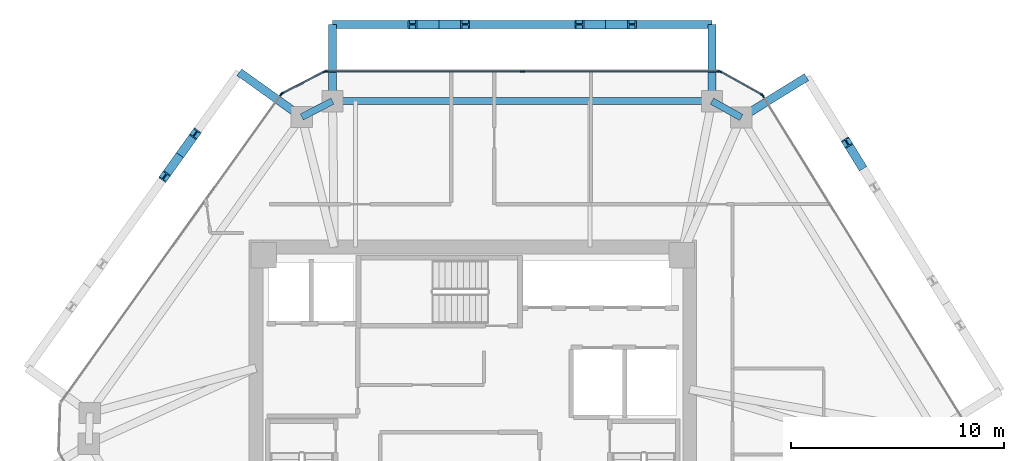
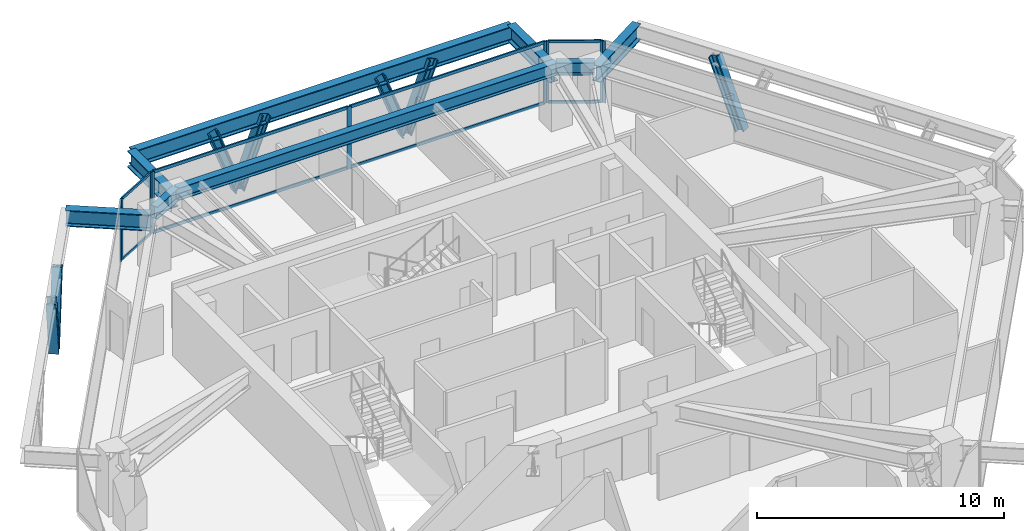
# One storey, part 6 of 11: 24 members, 8 beams, 5 elements without a shape of their own.
"""IFC4 building model written with IfcOpenShell, lengths in metres."""

from ifc_helpers import new_model, si_unit, direction, frame, origin, origin_2d, place, context, subcontext, project, spatial, rectangle, i_section, extrude, source, transform, mapped, material, layer, layer_set, material_profile, profile_set, type_object, type_shapes, element, aggregate, save


model = new_model("IFC4")

# Units and contexts
model_context = context("Model", 3, precision=1e-05, world=origin(), true_north=direction((0.0, 1.0)))
body_context = subcontext(model_context, "Body", "Model", "MODEL_VIEW")
ifc_project = project(units=[si_unit("LENGTHUNIT", "METRE"), si_unit("AREAUNIT", "SQUARE_METRE"), si_unit("VOLUMEUNIT", "CUBIC_METRE"), si_unit("PLANEANGLEUNIT", "RADIAN"), si_unit("MASSUNIT", "GRAM", prefix="KILO")], contexts=[model_context])

# Site, building, storey
site_placement = place(None, origin())
site = spatial("IfcSite", under=ifc_project, at=site_placement, CompositionType="ELEMENT")
building_placement = place(site_placement, origin())
building = spatial("IfcBuilding", under=site, at=building_placement, Name="Durnholm Broadcast Tower", CompositionType="ELEMENT")
storey_placement = place(building_placement, frame((0.0, 0.0, 196.89990234375)))
storey = spatial("IfcBuildingStorey", under=building, at=storey_placement, Name="L54", CompositionType="ELEMENT", Elevation=196.89990234375)

# Beams
ifc_material_1 = material(Name="Steel ASTM A992 Grade 50", Category="steel")
ifc_material_profile_1 = material_profile(ifc_material_1, i_section(OverallWidth=0.385009765625, OverallDepth=0.802978515625, WebThickness=0.023681640625, FlangeThickness=0.0419921875, FilletRadius=0.032958984375, at=origin_2d()), Name="W30X261")
ifc_profile_set_1 = profile_set([ifc_material_profile_1], Name="Steel ASTM A992 Grade 50")
beam_type_1 = type_object("IfcBeamType", Name="BM-EXO-TIE", PredefinedType="USERDEFINED", material=ifc_profile_set_1)
shared_shape_1 = source(origin(), body_context, "Body", "SweptSolid", [
    extrude(i_section(OverallWidth=0.385009765625, OverallDepth=0.802978515625, WebThickness=0.023681640625, FlangeThickness=0.0419921875, FilletRadius=0.032958984375, at=origin_2d()), origin(), (0.0, 0.0, 1.0), 3.4560546875),
])
for number, where, z_axis, x_axis, name in (
    (1, (12.713134765625, 14.327880859375, 2.30859375), (0.850662348375, 0.525712439512, 0.0), (-0.525712439512, 0.850662348375, 0.0), "L54 exoskeleton stand-off tie bracket F3.2"),
    (2, (-8.138916015625, 14.360107421875, 2.30859375), (-0.813079048773, 0.582153296346, 0.0), (-0.582153296346, -0.813079048773, 0.0), "L54 exoskeleton stand-off tie bracket F5.1"),
):
    element("IfcBeam", number, at=place(storey_placement, frame(where, z_axis=z_axis, x_axis=x_axis)), inside=storey, type_object=beam_type_1, Name=name, ObjectType="GIRDER", PredefinedType="USERDEFINED", context=body_context, shape_type="MappedRepresentation", body=[
        mapped(shared_shape_1, transform((0.0, 0.0, 0.0), x_axis=(1.0, 0.0, 0.0), y_axis=(0.0, 1.0, 0.0), z_axis=(0.0, 0.0, 1.0), scale=1.0)),
    ])
shared_shape_2 = source(origin(), body_context, "Body", "SweptSolid", [
    extrude(i_section(OverallWidth=0.385009765625, OverallDepth=0.802978515625, WebThickness=0.023681640625, FlangeThickness=0.0419921875, FilletRadius=0.032958984375, at=origin_2d()), origin(), (0.0, 0.0, 1.0), 3.455810546875),
])
for number, where, z_axis, x_axis, name in (
    (3, (11.217529296875, 15.162109375, 2.30859375), (0.0, 1.0, 0.0), (-1.0, 0.0, 0.0), "L54 exoskeleton stand-off tie bracket F4.1"),
    (4, (-6.57861328125, 15.162109375, 2.30859375), (0.0, 1.0, 0.0), (-1.0, 0.0, 0.0), "L54 exoskeleton stand-off tie bracket F4.2"),
):
    element("IfcBeam", number, at=place(storey_placement, frame(where, z_axis=z_axis, x_axis=x_axis)), inside=storey, type_object=beam_type_1, Name=name, ObjectType="GIRDER", PredefinedType="USERDEFINED", context=body_context, shape_type="MappedRepresentation", body=[
        mapped(shared_shape_2, transform((0.0, 0.0, 0.0), x_axis=(1.0, 0.0, 0.0), y_axis=(0.0, 1.0, 0.0), z_axis=(0.0, 0.0, 1.0), scale=1.0)),
    ])
ifc_material_profile_2 = material_profile(ifc_material_1, i_section(OverallWidth=0.3251953125, OverallDepth=0.6162109375, WebThickness=0.013916015625, FlangeThickness=0.021484375, FilletRadius=0.02783203125, at=origin_2d()), Name="W24X117")
ifc_profile_set_2 = profile_set([ifc_material_profile_2], Name="Steel ASTM A992 Grade 50")
beam_type_2 = type_object("IfcBeamType", Name="STL-SP-W24X117", PredefinedType="SPANDREL", material=ifc_profile_set_2)
shared_shape_3 = source(origin(), body_context, "Body", "SweptSolid", [
    extrude(i_section(OverallWidth=0.3251953125, OverallDepth=0.6162109375, WebThickness=0.013916015625, FlangeThickness=0.021484375, FilletRadius=0.02783203125, at=origin_2d()), origin(), (0.0, 0.0, 1.0), 1.62255859375),
])
beam_1_placement = place(storey_placement, frame((-8.021728515625, 14.2763671875, 2.737060546875), z_axis=(0.889406668864, 0.45711680934, 0.0), x_axis=(-0.45711680934, 0.889406668864, 0.0)))
element("IfcBeam", 5, at=beam_1_placement, inside=storey, type_object=beam_type_2, Name="L54 perimeter spandrel girder 04", PredefinedType="SPANDREL", context=body_context, shape_type="MappedRepresentation", body=[
    mapped(shared_shape_3, transform((0.0, 0.0, 0.0), x_axis=(1.0, 0.0, 0.0), y_axis=(0.0, 1.0, 0.0), z_axis=(0.0, 0.0, 1.0), scale=1.0)),
])
shared_shape_4 = source(origin(), body_context, "Body", "SweptSolid", [
    extrude(i_section(OverallWidth=0.3251953125, OverallDepth=0.6162109375, WebThickness=0.013916015625, FlangeThickness=0.021484375, FilletRadius=0.02783203125, at=origin_2d()), origin(), (0.0, 0.0, 1.0), 17.796142578125),
])
beam_2_placement = place(storey_placement, frame((-6.57861328125, 15.01806640625, 2.737060546875), z_axis=(1.0, 0.0, 0.0), x_axis=(0.0, 1.0, 0.0)))
element("IfcBeam", 6, at=beam_2_placement, inside=storey, type_object=beam_type_2, Name="L54 perimeter spandrel girder 05", PredefinedType="SPANDREL", context=body_context, shape_type="MappedRepresentation", body=[
    mapped(shared_shape_4, transform((0.0, 0.0, 0.0), x_axis=(1.0, 0.0, 0.0), y_axis=(0.0, 1.0, 0.0), z_axis=(0.0, 0.0, 1.0), scale=1.0)),
])
shared_shape_5 = source(origin(), body_context, "Body", "SweptSolid", [
    extrude(i_section(OverallWidth=0.3251953125, OverallDepth=0.6162109375, WebThickness=0.013916015625, FlangeThickness=0.021484375, FilletRadius=0.02783203125, at=origin_2d()), origin(), (0.0, 0.0, 1.0), 1.572509765625),
])
type_shapes(beam_type_2, [shared_shape_3, shared_shape_4, shared_shape_5])
beam_3_placement = place(storey_placement, frame((11.217529296875, 15.01806640625, 2.737060546875), z_axis=(0.873365144476, -0.487066037017, 0.0), x_axis=(0.487066037017, 0.873365144476, 0.0)))
element("IfcBeam", 7, at=beam_3_placement, inside=storey, type_object=beam_type_2, Name="L54 perimeter spandrel girder 06", PredefinedType="SPANDREL", context=body_context, shape_type="MappedRepresentation", body=[
    mapped(shared_shape_5, transform((0.0, 0.0, 0.0), x_axis=(1.0, 0.0, 0.0), y_axis=(0.0, 1.0, 0.0), z_axis=(0.0, 0.0, 1.0), scale=1.0)),
])
shared_shape_6 = source(origin(), body_context, "Body", "SweptSolid", [
    extrude(i_section(OverallWidth=0.385009765625, OverallDepth=0.802978515625, WebThickness=0.023681640625, FlangeThickness=0.0419921875, FilletRadius=0.032958984375, at=origin_2d()), origin(), (0.0, 0.0, 1.0), 17.796142578125),
])
type_shapes(beam_type_1, [shared_shape_1, shared_shape_2, shared_shape_6])
beam_4_placement = place(storey_placement, frame((11.217529296875, 18.617919921875, 2.30859375), z_axis=(-1.0, 0.0, 0.0), x_axis=(0.0, -1.0, 0.0)))
element("IfcBeam", 8, at=beam_4_placement, inside=storey, type_object=beam_type_1, Name="L54 exoskeleton collector spandrel F4", PredefinedType="SPANDREL", context=body_context, shape_type="MappedRepresentation", body=[
    mapped(shared_shape_6, transform((0.0, 0.0, 0.0), x_axis=(1.0, 0.0, 0.0), y_axis=(0.0, 1.0, 0.0), z_axis=(0.0, 0.0, 1.0), scale=1.0)),
])

# Members
ifc_material_2 = material(Name="Steel ASTM A913 Grade 65", Category="steel")
ifc_material_profile_3 = material_profile(ifc_material_2, i_section(OverallWidth=0.412109375, OverallDepth=0.434814453125, WebThickness=0.035888671875, FlangeThickness=0.057373046875, FilletRadius=0.030517578125, at=origin_2d()), Name="W14X311")
ifc_profile_set_3 = profile_set([ifc_material_profile_3], Name="Steel ASTM A913 Grade 65")
member_type_1 = type_object("IfcMemberType", Name="STL-DG-W14X311", PredefinedType="BRACE", material=ifc_profile_set_3)
shared_shape_7 = source(origin(), body_context, "Body", "SweptSolid", [
    extrude(i_section(OverallWidth=0.412109375, OverallDepth=0.434814453125, WebThickness=0.035888671875, FlangeThickness=0.057373046875, FilletRadius=0.030517578125, at=origin_2d()), origin(), (0.0, 0.0, 1.0), 3.523193359375),
])
type_shapes(member_type_1, [shared_shape_7])
for number, where, z_axis, x_axis, name in (
    (9, (18.2001953125, 12.023193359375, -0.991455078125), (-0.184115236318, 0.297965945114, 0.936652483746), (-0.850699125742, -0.525652924906, 0.0), "L54 stand-off diagrid brace F3.D2.2"),
    (10, (6.234619140625, 18.617919921875, -0.991455078125), (0.350219588454, 0.0, 0.936667625075), (0.0, 1.0, 0.0), "L54 stand-off diagrid brace F4.D1.1"),
    (11, (6.234619140625, 18.617919921875, -0.991455078125), (-0.350219588454, 0.0, 0.936667625075), (0.0, -1.0, 0.0), "L54 stand-off diagrid brace F4.D1.2"),
    (12, (-1.595703125, 18.617919921875, -0.991455078125), (0.350219588454, 0.0, 0.936667625075), (0.0, 1.0, 0.0), "L54 stand-off diagrid brace F4.D2.1"),
    (13, (-1.595703125, 18.617919921875, -0.991455078125), (-0.350219588454, 0.0, 0.936667625075), (0.0, -1.0, 0.0), "L54 stand-off diagrid brace F4.D2.2"),
    (14, (-13.731689453125, 12.485595703125, -0.991455078125), (0.203869234398, 0.284737826017, 0.936675880815), (-0.813077820009, 0.582155012526, 0.0), "L54 stand-off diagrid brace F5.D1.1"),
    (15, (-13.731689453125, 12.485595703125, -0.991455078125), (-0.203869234398, -0.284737826017, 0.936675880815), (0.813077820009, -0.582155012526, 0.0), "L54 stand-off diagrid brace F5.D1.2"),
):
    element("IfcMember", number, at=place(storey_placement, frame(where, z_axis=z_axis, x_axis=x_axis)), inside=storey, type_object=member_type_1, Name=name, PredefinedType="BRACE", context=body_context, shape_type="MappedRepresentation", body=[
        mapped(shared_shape_7, transform((0.0, 0.0, 0.0), x_axis=(1.0, 0.0, 0.0), y_axis=(0.0, 1.0, 0.0), z_axis=(0.0, 0.0, 1.0), scale=1.0)),
    ])

# Curtain wall, members
ifc_material_3 = material(Name="Aluminium and Solar Control IGU", Category="aluminium")
ifc_layer_1 = layer(ifc_material_3, 0.1650390625)
ifc_layer_set_1 = layer_set([ifc_layer_1], Name="Aluminium and Solar Control IGU")
curtain_wall_type_1 = type_object("IfcCurtainWallType", Name="CW-SYS-5", PredefinedType="NOTDEFINED", material=ifc_layer_set_1)
curtain_wall_1_placement = place(storey_placement, origin())
curtain_wall_1 = element("IfcCurtainWall", 16, at=curtain_wall_1_placement, inside=storey, type_object=curtain_wall_type_1, Name="L54 curtain wall CW-CORNER CW-L54-CRN-03", PredefinedType="NOTDEFINED")
ifc_material_4 = material(Name="Aluminium 6063-T6", Category="aluminium")
ifc_material_profile_4 = material_profile(ifc_material_4, rectangle(XDim=0.06494140625, YDim=0.1650390625, at=origin_2d()), Name="CWM65X165")
ifc_profile_set_4 = profile_set([ifc_material_profile_4], Name="Aluminium 6063-T6")
member_type_2 = type_object("IfcMemberType", Name="CW-SYS-5-MUL", PredefinedType="MULLION", material=ifc_profile_set_4)
shared_shape_8 = source(origin(), body_context, "Body", "SweptSolid", [
    extrude(rectangle(XDim=0.06494140625, YDim=0.1650390625, at=origin_2d()), origin(), (0.0, 0.0, 1.0), 3.06005859375),
])
type_shapes(member_type_2, [shared_shape_8])
member_1_placement = place(storey_placement, frame((-8.93408203125, 15.381591796875, 0.0), z_axis=(0.0, 0.0, 1.0), x_axis=(-0.457081764476, 0.889424679545, 0.0)))
member_1 = element("IfcMember", 17, at=member_1_placement, type_object=member_type_2, Name="CW-CORNER mullion 1", PredefinedType="MULLION", context=body_context, shape_type="MappedRepresentation", body=[
    mapped(shared_shape_8, transform((0.0, 0.0, 0.0), x_axis=(1.0, 0.0, 0.0), y_axis=(0.0, 1.0, 0.0), z_axis=(0.0, 0.0, 1.0), scale=1.0)),
])
member_2_placement = place(storey_placement, frame((-6.9462890625, 16.403076171875, 0.0), z_axis=(0.0, 0.0, 1.0), x_axis=(-0.457081764476, 0.889424679545, 0.0)))
member_2 = element("IfcMember", 18, at=member_2_placement, type_object=member_type_2, Name="CW-CORNER mullion 2", PredefinedType="MULLION", context=body_context, shape_type="MappedRepresentation", body=[
    mapped(shared_shape_8, transform((0.0, 0.0, 0.0), x_axis=(1.0, 0.0, 0.0), y_axis=(0.0, 1.0, 0.0), z_axis=(0.0, 0.0, 1.0), scale=1.0)),
])

curtain_wall_2_placement = place(storey_placement, origin())
curtain_wall_2 = element("IfcCurtainWall", 19, at=curtain_wall_2_placement, inside=storey, type_object=curtain_wall_type_1, Name="L54 curtain wall CW-CORNER CW-L54-CRN-05", PredefinedType="NOTDEFINED")
member_3_placement = place(storey_placement, frame((11.60986328125, 16.402099609375, 0.0), z_axis=(0.0, 0.0, 1.0), x_axis=(0.486986043316, 0.873409751271, 0.0)))
member_3 = element("IfcMember", 20, at=member_3_placement, type_object=member_type_2, Name="CW-CORNER mullion 1", PredefinedType="MULLION", context=body_context, shape_type="MappedRepresentation", body=[
    mapped(shared_shape_8, transform((0.0, 0.0, 0.0), x_axis=(1.0, 0.0, 0.0), y_axis=(0.0, 1.0, 0.0), z_axis=(0.0, 0.0, 1.0), scale=1.0)),
])
member_4_placement = place(storey_placement, frame((13.56201171875, 15.313720703125, 0.0), z_axis=(0.0, 0.0, 1.0), x_axis=(0.486986043316, 0.873409751271, 0.0)))
member_4 = element("IfcMember", 21, at=member_4_placement, type_object=member_type_2, Name="CW-CORNER mullion 2", PredefinedType="MULLION", context=body_context, shape_type="MappedRepresentation", body=[
    mapped(shared_shape_8, transform((0.0, 0.0, 0.0), x_axis=(1.0, 0.0, 0.0), y_axis=(0.0, 1.0, 0.0), z_axis=(0.0, 0.0, 1.0), scale=1.0)),
])

# Member
ifc_material_profile_5 = material_profile(ifc_material_4, rectangle(XDim=0.06494140625, YDim=0.1298828125, at=origin_2d()), Name="CWT65X130")
ifc_profile_set_5 = profile_set([ifc_material_profile_5], Name="Aluminium 6063-T6")
member_type_3 = type_object("IfcMemberType", Name="CW-SYS-5-TRN", PredefinedType="USERDEFINED", material=ifc_profile_set_5)
shared_shape_9 = source(origin(), body_context, "Body", "SweptSolid", [
    extrude(rectangle(XDim=0.06494140625, YDim=0.1298828125, at=origin_2d()), origin(), (0.0, 0.0, 1.0), 2.169921875),
])
type_shapes(member_type_3, [shared_shape_9])
member_5_placement = place(storey_placement, frame((-8.9052734375, 15.396484375, 0.03271484375), z_axis=(0.889468148591, 0.456997169185, 0.0), x_axis=(-0.456997169185, 0.889468148591, 0.0)))
member_5 = element("IfcMember", 22, at=member_5_placement, type_object=member_type_3, Name="CW-CORNER transom 1.1", ObjectType="TRANSOM", PredefinedType="USERDEFINED", context=body_context, shape_type="MappedRepresentation", body=[
    mapped(shared_shape_9, transform((0.0, 0.0, 0.0), x_axis=(1.0, 0.0, 0.0), y_axis=(0.0, 1.0, 0.0), z_axis=(0.0, 0.0, 1.0), scale=1.0)),
])

member_6_placement = place(storey_placement, frame((-8.9052734375, 15.396484375, 3.027587890625), z_axis=(0.889468148591, 0.456997169185, 0.0), x_axis=(-0.456997169185, 0.889468148591, 0.0)))
member_6 = element("IfcMember", 23, at=member_6_placement, type_object=member_type_3, Name="CW-CORNER transom 1.2", ObjectType="TRANSOM", PredefinedType="USERDEFINED", context=body_context, shape_type="MappedRepresentation", body=[
    mapped(shared_shape_9, transform((0.0, 0.0, 0.0), x_axis=(1.0, 0.0, 0.0), y_axis=(0.0, 1.0, 0.0), z_axis=(0.0, 0.0, 1.0), scale=1.0)),
])

aggregate(curtain_wall_1, [member_1, member_2, member_5, member_6])

member_7_placement = place(storey_placement, frame((11.63818359375, 16.38623046875, 0.03271484375), z_axis=(0.873429215361, -0.48695113282, 0.0), x_axis=(0.48695113282, 0.873429215361, 0.0)))
member_7 = element("IfcMember", 24, at=member_7_placement, type_object=member_type_3, Name="CW-CORNER transom 1.1", ObjectType="TRANSOM", PredefinedType="USERDEFINED", context=body_context, shape_type="MappedRepresentation", body=[
    mapped(shared_shape_9, transform((0.0, 0.0, 0.0), x_axis=(1.0, 0.0, 0.0), y_axis=(0.0, 1.0, 0.0), z_axis=(0.0, 0.0, 1.0), scale=1.0)),
])

member_8_placement = place(storey_placement, frame((11.63818359375, 16.38623046875, 3.027587890625), z_axis=(0.873429215361, -0.48695113282, 0.0), x_axis=(0.48695113282, 0.873429215361, 0.0)))
member_8 = element("IfcMember", 25, at=member_8_placement, type_object=member_type_3, Name="CW-CORNER transom 1.2", ObjectType="TRANSOM", PredefinedType="USERDEFINED", context=body_context, shape_type="MappedRepresentation", body=[
    mapped(shared_shape_9, transform((0.0, 0.0, 0.0), x_axis=(1.0, 0.0, 0.0), y_axis=(0.0, 1.0, 0.0), z_axis=(0.0, 0.0, 1.0), scale=1.0)),
])

aggregate(curtain_wall_2, [member_3, member_4, member_7, member_8])

# Curtain wall, members
ifc_layer_2 = layer(ifc_material_3, 0.18994140625)
ifc_layer_set_2 = layer_set([ifc_layer_2], Name="Aluminium and Solar Control IGU")
curtain_wall_type_2 = type_object("IfcCurtainWallType", Name="CW-SYS-4", PredefinedType="NOTDEFINED", material=ifc_layer_set_2)
curtain_wall_3_placement = place(storey_placement, origin())
curtain_wall_3 = element("IfcCurtainWall", 26, at=curtain_wall_3_placement, inside=storey, type_object=curtain_wall_type_2, Name="L54 curtain wall CW-Z34-VIS CW-L54-F04", PredefinedType="NOTDEFINED")
ifc_material_profile_6 = material_profile(ifc_material_4, rectangle(XDim=0.070068359375, YDim=0.14990234375, at=origin_2d()), Name="CWT70X150")
ifc_profile_set_6 = profile_set([ifc_material_profile_6], Name="Aluminium 6063-T6")
member_type_4 = type_object("IfcMemberType", Name="CW-SYS-4-TRN", PredefinedType="USERDEFINED", material=ifc_profile_set_6)
shared_shape_10 = source(origin(), body_context, "Body", "SweptSolid", [
    extrude(rectangle(XDim=0.070068359375, YDim=0.14990234375, at=origin_2d()), origin(), (0.0, 0.0, 1.0), 9.14453125),
])
type_shapes(member_type_4, [shared_shape_10])
member_9_placement = place(storey_placement, frame((-6.847412109375, 16.41796875, 0.03515625), z_axis=(1.0, 0.0, 0.0), x_axis=(0.0, 1.0, 0.0)))
member_9 = element("IfcMember", 27, at=member_9_placement, type_object=member_type_4, Name="CW-Z34-VIS transom 1.1", ObjectType="TRANSOM", PredefinedType="USERDEFINED", context=body_context, shape_type="MappedRepresentation", body=[
    mapped(shared_shape_10, transform((0.0, 0.0, 0.0), x_axis=(1.0, 0.0, 0.0), y_axis=(0.0, 1.0, 0.0), z_axis=(0.0, 0.0, 1.0), scale=1.0)),
])
member_10_placement = place(storey_placement, frame((-6.847412109375, 16.41796875, 3.025146484375), z_axis=(1.0, 0.0, 0.0), x_axis=(0.0, 1.0, 0.0)))
member_10 = element("IfcMember", 28, at=member_10_placement, type_object=member_type_4, Name="CW-Z34-VIS transom 1.2", ObjectType="TRANSOM", PredefinedType="USERDEFINED", context=body_context, shape_type="MappedRepresentation", body=[
    mapped(shared_shape_10, transform((0.0, 0.0, 0.0), x_axis=(1.0, 0.0, 0.0), y_axis=(0.0, 1.0, 0.0), z_axis=(0.0, 0.0, 1.0), scale=1.0)),
])
member_11_placement = place(storey_placement, frame((2.366943359375, 16.41796875, 0.03515625), z_axis=(1.0, 0.0, 0.0), x_axis=(0.0, 1.0, 0.0)))
member_11 = element("IfcMember", 29, at=member_11_placement, type_object=member_type_4, Name="CW-Z34-VIS transom 2.1", ObjectType="TRANSOM", PredefinedType="USERDEFINED", context=body_context, shape_type="MappedRepresentation", body=[
    mapped(shared_shape_10, transform((0.0, 0.0, 0.0), x_axis=(1.0, 0.0, 0.0), y_axis=(0.0, 1.0, 0.0), z_axis=(0.0, 0.0, 1.0), scale=1.0)),
])
member_12_placement = place(storey_placement, frame((2.366943359375, 16.41796875, 3.025146484375), z_axis=(1.0, 0.0, 0.0), x_axis=(0.0, 1.0, 0.0)))
member_12 = element("IfcMember", 30, at=member_12_placement, type_object=member_type_4, Name="CW-Z34-VIS transom 2.2", ObjectType="TRANSOM", PredefinedType="USERDEFINED", context=body_context, shape_type="MappedRepresentation", body=[
    mapped(shared_shape_10, transform((0.0, 0.0, 0.0), x_axis=(1.0, 0.0, 0.0), y_axis=(0.0, 1.0, 0.0), z_axis=(0.0, 0.0, 1.0), scale=1.0)),
])

# Curtain wall, member
curtain_wall_4_placement = place(storey_placement, origin())
curtain_wall_4 = element("IfcCurtainWall", 31, at=curtain_wall_4_placement, inside=storey, type_object=curtain_wall_type_2, Name="L54 curtain wall CW-Z34-VIS CW-L54-F02", PredefinedType="NOTDEFINED")
ifc_material_profile_7 = material_profile(ifc_material_4, rectangle(XDim=0.070068359375, YDim=0.18994140625, at=origin_2d()), Name="CWM70X190")
ifc_profile_set_7 = profile_set([ifc_material_profile_7], Name="Aluminium 6063-T6")
member_type_5 = type_object("IfcMemberType", Name="CW-SYS-4-MUL", PredefinedType="MULLION", material=ifc_profile_set_7)
shared_shape_11 = source(origin(), body_context, "Body", "SweptSolid", [
    extrude(rectangle(XDim=0.070068359375, YDim=0.18994140625, at=origin_2d()), origin(), (0.0, 0.0, 1.0), 3.06005859375),
])
type_shapes(member_type_5, [shared_shape_11])
member_13_placement = place(storey_placement, frame((-8.9833984375, 15.338134765625, 0.0), z_axis=(0.0, 0.0, 1.0), x_axis=(-0.813089262696, 0.582139030549, 0.0)))
member_13 = element("IfcMember", 32, at=member_13_placement, type_object=member_type_5, Name="CW-Z34-VIS mullion 2", PredefinedType="MULLION", context=body_context, shape_type="MappedRepresentation", body=[
    mapped(shared_shape_11, transform((0.0, 0.0, 0.0), x_axis=(1.0, 0.0, 0.0), y_axis=(0.0, 1.0, 0.0), z_axis=(0.0, 0.0, 1.0), scale=1.0)),
])
aggregate(curtain_wall_4, [member_13])

# Member
member_14_placement = place(storey_placement, frame((-6.88232421875, 16.41796875, 0.0), z_axis=(0.0, 0.0, 1.0), x_axis=(0.0, 1.0, 0.0)))
member_14 = element("IfcMember", 33, at=member_14_placement, type_object=member_type_5, Name="CW-Z34-VIS mullion 1", PredefinedType="MULLION", context=body_context, shape_type="MappedRepresentation", body=[
    mapped(shared_shape_11, transform((0.0, 0.0, 0.0), x_axis=(1.0, 0.0, 0.0), y_axis=(0.0, 1.0, 0.0), z_axis=(0.0, 0.0, 1.0), scale=1.0)),
])

member_15_placement = place(storey_placement, frame((2.33203125, 16.41796875, 0.0), z_axis=(0.0, 0.0, 1.0), x_axis=(0.0, 1.0, 0.0)))
member_15 = element("IfcMember", 34, at=member_15_placement, type_object=member_type_5, Name="CW-Z34-VIS mullion 2", PredefinedType="MULLION", context=body_context, shape_type="MappedRepresentation", body=[
    mapped(shared_shape_11, transform((0.0, 0.0, 0.0), x_axis=(1.0, 0.0, 0.0), y_axis=(0.0, 1.0, 0.0), z_axis=(0.0, 0.0, 1.0), scale=1.0)),
])

member_16_placement = place(storey_placement, frame((11.54638671875, 16.41796875, 0.0), z_axis=(0.0, 0.0, 1.0), x_axis=(0.0, 1.0, 0.0)))
member_16 = element("IfcMember", 35, at=member_16_placement, type_object=member_type_5, Name="CW-Z34-VIS mullion 3", PredefinedType="MULLION", context=body_context, shape_type="MappedRepresentation", body=[
    mapped(shared_shape_11, transform((0.0, 0.0, 0.0), x_axis=(1.0, 0.0, 0.0), y_axis=(0.0, 1.0, 0.0), z_axis=(0.0, 0.0, 1.0), scale=1.0)),
])

aggregate(curtain_wall_3, [member_14, member_15, member_16, member_9, member_10, member_11, member_12])

# Curtain wall, member
curtain_wall_5_placement = place(storey_placement, origin())
curtain_wall_5 = element("IfcCurtainWall", 36, at=curtain_wall_5_placement, inside=storey, type_object=curtain_wall_type_2, Name="L54 curtain wall CW-Z34-VIS CW-L54-F06", PredefinedType="NOTDEFINED")
member_17_placement = place(storey_placement, frame((13.608642578125, 15.26806640625, 0.0), z_axis=(0.0, 0.0, 1.0), x_axis=(0.850671426092, 0.525697750452, 0.0)))
member_17 = element("IfcMember", 37, at=member_17_placement, type_object=member_type_5, Name="CW-Z34-VIS mullion 1", PredefinedType="MULLION", context=body_context, shape_type="MappedRepresentation", body=[
    mapped(shared_shape_11, transform((0.0, 0.0, 0.0), x_axis=(1.0, 0.0, 0.0), y_axis=(0.0, 1.0, 0.0), z_axis=(0.0, 0.0, 1.0), scale=1.0)),
])
aggregate(curtain_wall_5, [member_17])

save(model, "model.ifc")
